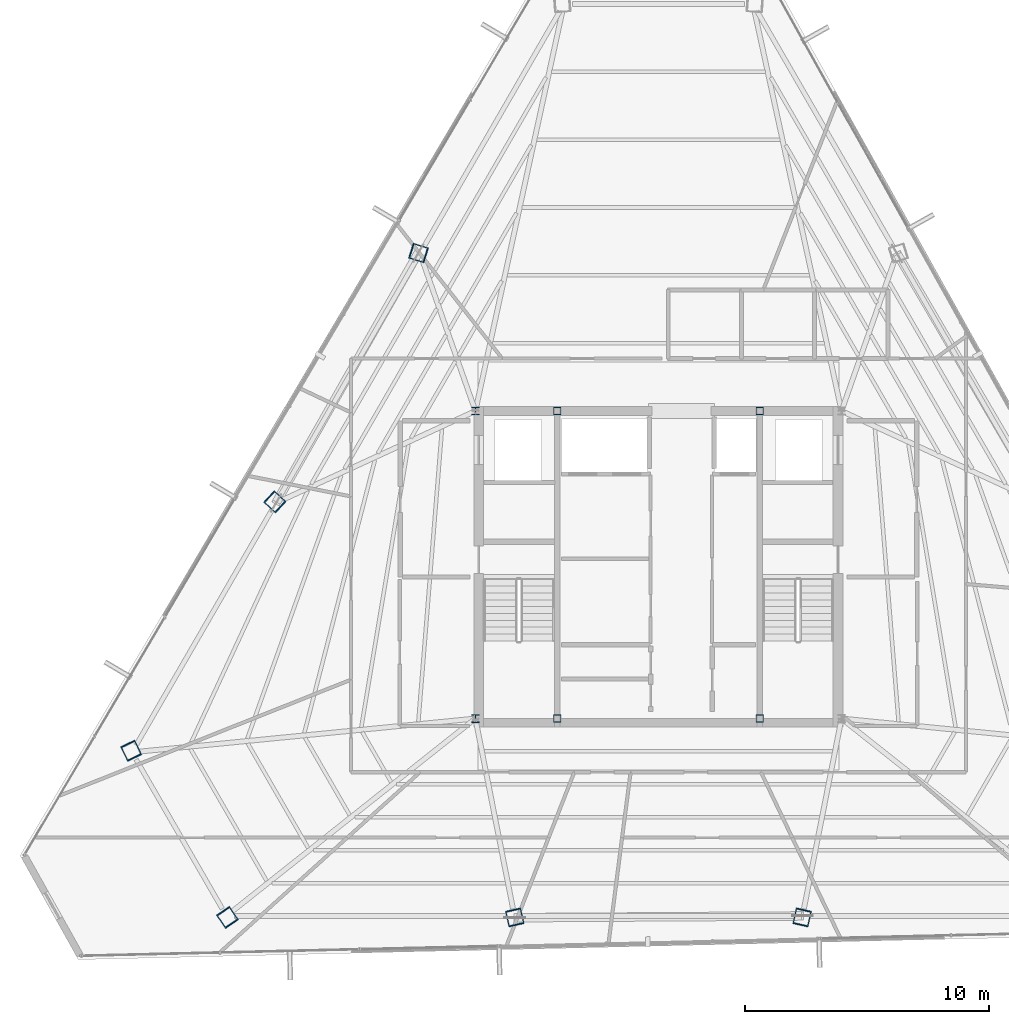
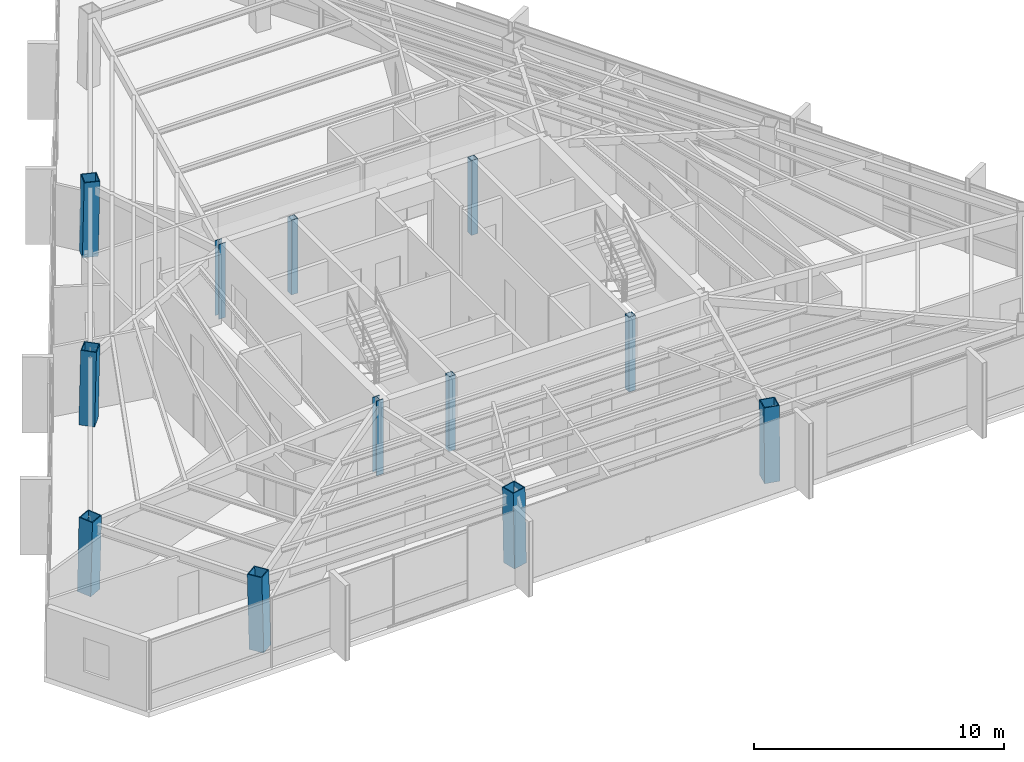
# One storey, part 1 of 46: 12 columns.
"""IFC4 building model written with IfcOpenShell, lengths in metres."""

from ifc_helpers import new_model, si_unit, direction, frame, origin, origin_2d, place, context, subcontext, project, spatial, hollow_rectangle, i_section, extrude, source, transform, mapped, material, material_profile, profile_set, type_object, type_shapes, element, save


model = new_model("IFC4")

# Units and contexts
model_context = context("Model", 3, precision=1e-05, world=origin(), true_north=direction((0.0, 1.0)))
body_context = subcontext(model_context, "Body", "Model", "MODEL_VIEW")
ifc_project = project(units=[si_unit("LENGTHUNIT", "METRE"), si_unit("AREAUNIT", "SQUARE_METRE"), si_unit("VOLUMEUNIT", "CUBIC_METRE"), si_unit("PLANEANGLEUNIT", "RADIAN"), si_unit("MASSUNIT", "GRAM", prefix="KILO")], contexts=[model_context])

# Site, building, storey
site_placement = place(None, origin())
site = spatial("IfcSite", under=ifc_project, at=site_placement, CompositionType="ELEMENT")
building_placement = place(site_placement, origin())
building = spatial("IfcBuilding", under=site, at=building_placement, Name="Caelisora Broadcast Tower", CompositionType="ELEMENT")
storey_placement = place(building_placement, frame((0.0, 0.0, 251.75)))
storey = spatial("IfcBuildingStorey", under=building, at=storey_placement, Name="L66", CompositionType="ELEMENT", Elevation=251.75)

# Columns
ifc_material_1 = material(Name="Steel Grade 350 (AS/NZS 3679.1)", Category="steel")
ifc_material_profile_1 = material_profile(ifc_material_1, i_section(OverallWidth=0.31103515625, OverallDepth=0.3271484375, WebThickness=0.015625, FlangeThickness=0.02490234375, at=origin_2d()), Name="Steel Grade 350 (AS/NZS 3679.1)")
ifc_profile_set_1 = profile_set([ifc_material_profile_1], Name="Steel Grade 350 (AS/NZS 3679.1)")
column_type_1 = type_object("IfcColumnType", Name="CC03", PredefinedType="COLUMN", material=ifc_profile_set_1)
shared_shape_1 = source(origin(), body_context, "Body", "SweptSolid", [
    extrude(i_section(OverallWidth=0.31103515625, OverallDepth=0.3271484375, WebThickness=0.015625, FlangeThickness=0.02490234375, at=origin_2d()), origin(), (0.0, 0.0, 1.0), 3.64990234375),
])
type_shapes(column_type_1, [shared_shape_1])
for number, where, z_axis, x_axis, name in (
    (1, (30.5, 17.39990234375, 0.0), (0.0, 0.0, 1.0), (1.0, 0.0, 0.0), "L66 column CC03"),
    (2, (30.5, 30.0, 0.0), (0.0, 0.0, 1.0), (1.0, 0.0, 0.0), "L66 column CC03"),
):
    element("IfcColumn", number, at=place(storey_placement, frame(where, z_axis=z_axis, x_axis=x_axis)), inside=storey, type_object=column_type_1, Name=name, PredefinedType="COLUMN", context=body_context, shape_type="MappedRepresentation", body=[
        mapped(shared_shape_1, transform((0.0, 0.0, 0.0), scale=1.0)),
    ])
ifc_material_2 = material(Name="Steel Grade 350 L15 (AS/NZS 3678)", Category="steel")
ifc_material_profile_2 = material_profile(ifc_material_2, hollow_rectangle(XDim=0.64990234375, YDim=0.64990234375, WallThickness=0.0400390625, at=origin_2d()), Name="Steel Grade 350 L15 (AS/NZS 3678)")
ifc_profile_set_2 = profile_set([ifc_material_profile_2], Name="Steel Grade 350 L15 (AS/NZS 3678)")
column_type_2 = type_object("IfcColumnType", Name="MC06", PredefinedType="COLUMN", material=ifc_profile_set_2)
shared_shape_2 = source(origin(), body_context, "Body", "SweptSolid", [
    extrude(hollow_rectangle(XDim=0.64990234375, YDim=0.64990234375, WallThickness=0.0400390625, at=origin_2d()), origin(), (0.0, 0.0, 1.0), 3.65087890625),
])
for number, where, z_axis, x_axis, name in (
    (3, (16.3916015625, 16.09375, 0.0), (0.010431780378, -0.021599135014, 0.999712286273), (0.900476348161, 0.434904985489, 0.0), "L66 column MC06"),
    (4, (20.348876953125, 9.23974609375, 0.0), (-0.013507825582, 0.019793645407, 0.999712833893), (-0.825991119814, -0.563683129062, 0.0), "L66 column MC06"),
):
    element("IfcColumn", number, at=place(storey_placement, frame(where, z_axis=z_axis, x_axis=x_axis)), inside=storey, type_object=column_type_2, Name=name, PredefinedType="COLUMN", context=body_context, shape_type="MappedRepresentation", body=[
        mapped(shared_shape_2, transform((0.0, 0.0, 0.0), scale=1.0)),
    ])
shared_shape_3 = source(origin(), body_context, "Body", "SweptSolid", [
    extrude(hollow_rectangle(XDim=0.64990234375, YDim=0.64990234375, WallThickness=0.0400390625, at=origin_2d()), origin(), (0.0, 0.0, 1.0), 3.650634765625),
])
type_shapes(column_type_2, [shared_shape_2, shared_shape_3])
for number, where, z_axis, x_axis, name in (
    (5, (28.1591796875, 36.4755859375, 0.0), (0.019393993486, -0.006018825565, 0.999793802119), (0.296399214872, 0.955064136811, 0.0), "L66 column MC06"),
    (6, (22.275390625, 26.28466796875, 0.0), (0.014913313399, -0.013776424037, 0.999793880369), (0.678553674548, 0.734550822447, 0.0), "L66 column MC06"),
    (7, (32.1162109375, 9.23974609375, 0.0), (-0.004480682206, 0.019795252729, 0.999794014513), (-0.975326687046, -0.220766513622, 0.0), "L66 column MC06"),
    (8, (43.8837890625, 9.23974609375, 0.0), (0.004480682206, 0.019795252729, 0.999794014513), (-0.975326687046, 0.220766513622, 0.0), "L66 column MC06"),
):
    element("IfcColumn", number, at=place(storey_placement, frame(where, z_axis=z_axis, x_axis=x_axis)), inside=storey, type_object=column_type_2, Name=name, PredefinedType="COLUMN", context=body_context, shape_type="MappedRepresentation", body=[
        mapped(shared_shape_3, transform((0.0, 0.0, 0.0), scale=1.0)),
    ])
ifc_material_3 = material(Name="Steel Grade 350 (AS/NZS 1163 C350L0)", Category="steel")
ifc_material_profile_3 = material_profile(ifc_material_3, hollow_rectangle(XDim=0.300048828125, YDim=0.300048828125, WallThickness=0.012451171875, at=origin_2d()), Name="Steel Grade 350 (AS/NZS 1163 C350L0)")
ifc_profile_set_3 = profile_set([ifc_material_profile_3], Name="Steel Grade 350 (AS/NZS 1163 C350L0)")
column_type_3 = type_object("IfcColumnType", Name="CC08", PredefinedType="COLUMN", material=ifc_profile_set_3)
shared_shape_4 = source(origin(), body_context, "Body", "SweptSolid", [
    extrude(hollow_rectangle(XDim=0.300048828125, YDim=0.300048828125, WallThickness=0.012451171875, at=origin_2d()), origin(), (0.0, 0.0, 1.0), 3.64990234375),
])
type_shapes(column_type_3, [shared_shape_4])
for number, where, z_axis, x_axis, name in (
    (9, (33.85009765625, 17.39990234375, 0.0), (0.0, 0.0, 1.0), (1.0, 0.0, 0.0), "L66 column CC08"),
    (10, (42.14990234375, 17.39990234375, 0.0), (0.0, 0.0, 1.0), (1.0, 0.0, 0.0), "L66 column CC08"),
    (11, (33.85009765625, 30.0, 0.0), (0.0, 0.0, 1.0), (1.0, 0.0, 0.0), "L66 column CC08"),
    (12, (42.14990234375, 30.0, 0.0), (0.0, 0.0, 1.0), (1.0, 0.0, 0.0), "L66 column CC08"),
):
    element("IfcColumn", number, at=place(storey_placement, frame(where, z_axis=z_axis, x_axis=x_axis)), inside=storey, type_object=column_type_3, Name=name, PredefinedType="COLUMN", context=body_context, shape_type="MappedRepresentation", body=[
        mapped(shared_shape_4, transform((0.0, 0.0, 0.0), scale=1.0)),
    ])

save(model, "model.ifc")
